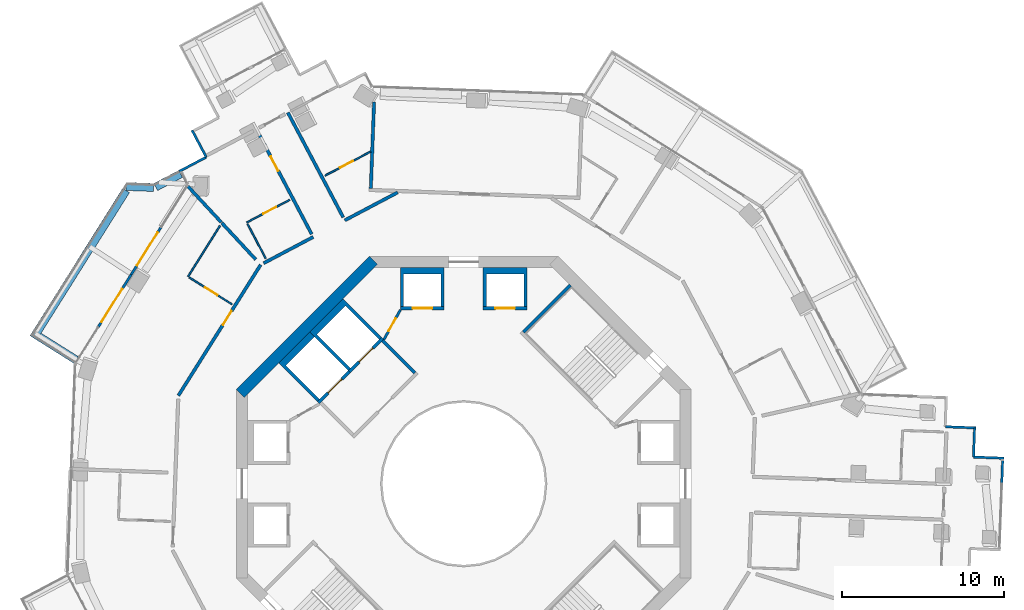
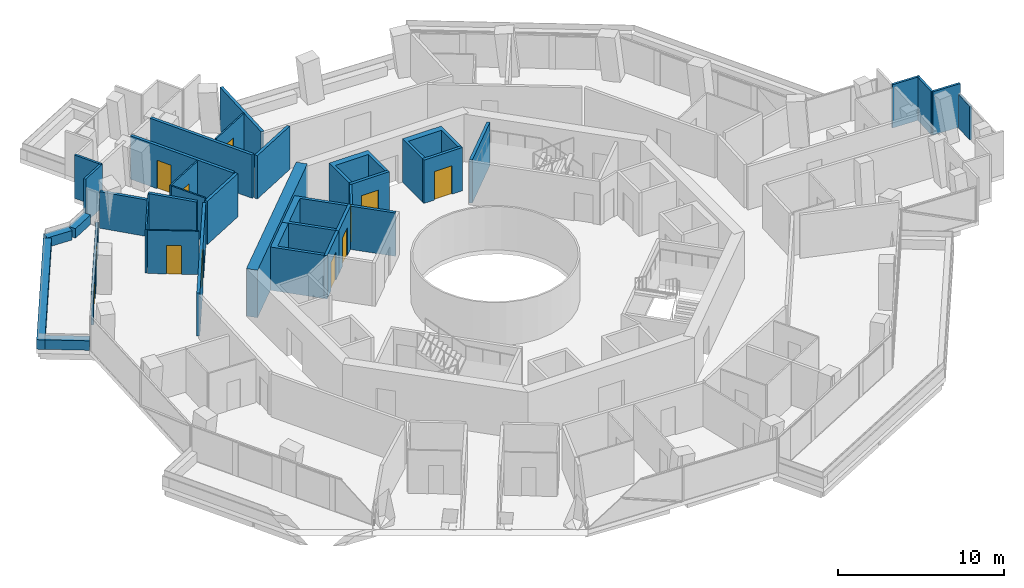
# One storey, part 18 of 23: 37 walls, 12 doors, 12 openings.
"""IFC4 building model written with IfcOpenShell, lengths in metres."""

from ifc_helpers import new_model, si_unit, direction, frame, frame_2d, origin, place, context, subcontext, project, spatial, polyline, rectangle, outline, extrude, material, layer, layer_set, type_object, element, fill, save


model = new_model("IFC4")

# Units and contexts
model_context = context("Model", 3, precision=1e-05, world=origin(), true_north=direction((0.0, 1.0)))
body_context = subcontext(model_context, "Body", "Model", "MODEL_VIEW")
ifc_project = project(units=[si_unit("LENGTHUNIT", "METRE"), si_unit("AREAUNIT", "SQUARE_METRE"), si_unit("VOLUMEUNIT", "CUBIC_METRE"), si_unit("PLANEANGLEUNIT", "RADIAN"), si_unit("MASSUNIT", "GRAM", prefix="KILO")], contexts=[model_context])

# Site, building, storey
site_placement = place(None, origin())
site = spatial("IfcSite", under=ifc_project, at=site_placement, CompositionType="ELEMENT")
building_placement = place(site_placement, origin())
building = spatial("IfcBuilding", under=site, at=building_placement, Name="Verdalira Terraces Hotel", CompositionType="ELEMENT")
storey_placement = place(building_placement, frame((0.0, 0.0, 147.0)))
storey = spatial("IfcBuildingStorey", under=building, at=storey_placement, Name="L35", CompositionType="ELEMENT", Elevation=147.0)

# Walls
ifc_material_1 = material(Name="Concrete C40", Category="concrete")
ifc_layer_1 = layer(ifc_material_1, 0.5)
ifc_layer_set_1 = layer_set([ifc_layer_1], Name="Balcony planter trough with tree")
wall_type_1 = type_object("IfcWallType", Name="Balcony planter trough with tree", PredefinedType="SOLIDWALL", material=ifc_layer_set_1)
wall_1_placement = place(storey_placement, frame((-17.42749, 19.077637, 0.0), z_axis=(0.0, 0.0, 1.0), x_axis=(-0.884277997, -0.466960837, 0.0)))
element("IfcWall", 1, at=wall_1_placement, inside=storey, type_object=wall_type_1, Name="Balcony planter", PredefinedType="SOLIDWALL", context=body_context, shape_type="SweptSolid", body=[
    extrude(rectangle(XDim=1.731201, YDim=0.5, at=frame_2d((0.865723, 0.0))), origin(), (0.0, 0.0, 1.0), 0.699951),
])
wall_2_placement = place(storey_placement, frame((-19.084473, 18.240479, 0.0), z_axis=(0.0, 0.0, 1.0), x_axis=(-0.999287738, 0.037736147, 0.0)))
element("IfcWall", 2, at=wall_2_placement, inside=storey, type_object=wall_type_1, Name="Balcony planter", PredefinedType="SOLIDWALL", context=body_context, shape_type="SweptSolid", body=[
    extrude(rectangle(XDim=1.695068, YDim=0.5, at=frame_2d((0.847656, 0.0))), origin(), (0.0, 0.0, 1.0), 0.699951),
])
wall_3_placement = place(storey_placement, frame((-20.787598, 18.054688, 0.0), z_axis=(0.0, 0.0, 1.0), x_axis=(-0.532285818, -0.84656471, 0.0)))
element("IfcWall", 3, at=wall_3_placement, inside=storey, type_object=wall_type_1, Name="Balcony planter", PredefinedType="SOLIDWALL", context=body_context, shape_type="SweptSolid", body=[
    extrude(rectangle(XDim=10.719482, YDim=0.5, at=frame_2d((5.359863, 0.0))), origin(), (0.0, 0.0, 1.0), 0.699951),
])
wall_4_placement = place(storey_placement, frame((-26.148682, 9.058594, 0.0), z_axis=(0.0, 0.0, 1.0), x_axis=(0.846546878, -0.532314177, 0.0)))
element("IfcWall", 4, at=wall_4_placement, inside=storey, type_object=wall_type_1, Name="Balcony planter", PredefinedType="SOLIDWALL", context=body_context, shape_type="SweptSolid", body=[
    extrude(rectangle(XDim=2.699219, YDim=0.5, at=frame_2d((1.349609, 0.0))), origin(), (0.0, 0.0, 1.0), 0.699951),
])
ifc_material_2 = material(Name="Moisture-resistant gypsum board partition")
ifc_layer_2 = layer(ifc_material_2, 0.10009765625)
ifc_layer_set_2 = layer_set([ifc_layer_2], Name="Bathroom partition 100 mm")
wall_type_2 = type_object("IfcWallType", Name="Bathroom partition 100 mm", PredefinedType="PARTITIONING", material=ifc_layer_set_2)
wall_5_placement = place(storey_placement, frame((-16.976074, 12.750732, 0.0), z_axis=(0.0, 0.0, 1.0), x_axis=(0.532295725, 0.846558481, 0.0)))
element("IfcWall", 5, at=wall_5_placement, inside=storey, type_object=wall_type_2, Name="Bathroom partition", PredefinedType="PARTITIONING", context=body_context, shape_type="SweptSolid", body=[
    extrude(rectangle(XDim=3.704102, YDim=0.100098, at=frame_2d((1.852051, 0.0))), origin(), (0.0, 0.0, 1.0), 3.189941),
])

# Wall, opening, door
wall_6_placement = place(storey_placement, frame((-16.891357, 12.69751, 0.0), z_axis=(0.0, 0.0, 1.0), x_axis=(0.846583824, -0.532255417, 0.0)))
wall_6 = element("IfcWall", 6, at=wall_6_placement, inside=storey, type_object=wall_type_2, Name="Bathroom partition", PredefinedType="PARTITIONING", context=body_context, shape_type="SweptSolid", body=[
    extrude(rectangle(XDim=3.099854, YDim=0.100098, at=frame_2d((1.549805, 0.0))), origin(), (0.0, 0.0, 1.0), 3.189941),
])
opening_1_placement = place(wall_6_placement, frame((1.149902, 0.0, 0.0)))
opening_1 = element("IfcOpeningElement", 7, at=opening_1_placement, cuts=wall_6, Name="Opening L35-107", PredefinedType="OPENING", context=body_context, shape_type="SweptSolid", body=[
    extrude(rectangle(XDim=0.899902, YDim=2.100098, at=frame_2d((0.449951, 1.050049))), frame((0.0, 0.060059, 0.0), z_axis=(0.0, -1.0, 0.0), x_axis=(1.0, 0.0, 0.0)), (0.0, 0.0, 1.0), 0.120117),
])
ifc_material_3 = material(Name="Timber door", Category="wood")
door_type_1 = type_object("IfcDoorType", Name="Bathroom door 900 x 2100", OperationType="NOTDEFINED", PredefinedType="DOOR", material=ifc_material_3)
door_1_placement = place(opening_1_placement, origin())
door_1 = element("IfcDoor", 8, at=door_1_placement, inside=storey, type_object=door_type_1, Name="Bathroom door 3503", OperationType="SINGLE_SWING_LEFT", OverallHeight=2.10009765625, OverallWidth=0.89990234375, PredefinedType="DOOR", context=body_context, shape_type="SweptSolid", body=[
    extrude(rectangle(XDim=0.899902, YDim=2.100098, at=frame_2d((0.449951, 1.050049))), frame((0.0, 0.024902, 0.0), z_axis=(0.0, -1.0, 0.0), x_axis=(1.0, 0.0, 0.0)), (0.0, 0.0, 1.0), 0.050049),
])
fill(opening_1, door_1)

# Wall
wall_7_placement = place(storey_placement, frame((-12.188965, 13.871582, 0.0), z_axis=(0.0, 0.0, 1.0), x_axis=(-0.46699949, 0.884257585, 0.0)))
element("IfcWall", 9, at=wall_7_placement, inside=storey, type_object=wall_type_2, Name="Bathroom partition", PredefinedType="PARTITIONING", context=body_context, shape_type="SweptSolid", body=[
    extrude(rectangle(XDim=2.400146, YDim=0.100098, at=frame_2d((1.200195, 0.0))), origin(), (0.0, 0.0, 1.0), 3.189941),
])

# Wall, opening, door
wall_8_placement = place(storey_placement, frame((-10.703613, 17.483398, 0.0), z_axis=(0.0, 0.0, 1.0), x_axis=(-0.884244746, -0.467023799, 0.0)))
wall_8 = element("IfcWall", 10, at=wall_8_placement, inside=storey, type_object=wall_type_2, Name="Bathroom partition", PredefinedType="PARTITIONING", context=body_context, shape_type="SweptSolid", body=[
    extrude(rectangle(XDim=3.0, YDim=0.100098, at=frame_2d((1.5, 0.0))), origin(), (0.0, 0.0, 1.0), 3.189941),
])
opening_2_placement = place(wall_8_placement, frame((0.949951, 0.0, 0.0)))
opening_2 = element("IfcOpeningElement", 11, at=opening_2_placement, cuts=wall_8, Name="Opening L35-105", PredefinedType="OPENING", context=body_context, shape_type="SweptSolid", body=[
    extrude(rectangle(XDim=0.899902, YDim=2.100098, at=frame_2d((0.449951, 1.050049))), frame((0.0, 0.060059, 0.0), z_axis=(0.0, -1.0, 0.0), x_axis=(1.0, 0.0, 0.0)), (0.0, 0.0, 1.0), 0.120117),
])
door_2_placement = place(opening_2_placement, origin())
door_2 = element("IfcDoor", 12, at=door_2_placement, inside=storey, type_object=door_type_1, Name="Bathroom door 3502", OperationType="SINGLE_SWING_RIGHT", OverallHeight=2.10009765625, OverallWidth=0.89990234375, PredefinedType="DOOR", context=body_context, shape_type="SweptSolid", body=[
    extrude(rectangle(XDim=0.899902, YDim=2.100098, at=frame_2d((0.449951, 1.050049))), frame((0.0, 0.024902, 0.0), z_axis=(0.0, -1.0, 0.0), x_axis=(1.0, 0.0, 0.0)), (0.0, 0.0, 1.0), 0.050049),
])
fill(opening_2, door_2)

wall_9_placement = place(storey_placement, frame((-5.71582, 20.456787, 0.0), z_axis=(0.0, 0.0, 1.0), x_axis=(-0.884270091, -0.466975808, 0.0)))
wall_9 = element("IfcWall", 13, at=wall_9_placement, inside=storey, type_object=wall_type_2, Name="Bathroom partition", PredefinedType="PARTITIONING", context=body_context, shape_type="SweptSolid", body=[
    extrude(rectangle(XDim=3.198975, YDim=0.100098, at=frame_2d((1.599609, 0.0))), origin(), (0.0, 0.0, 1.0), 3.189941),
])
opening_3_placement = place(wall_9_placement, frame((1.25, 0.0, 0.0)))
opening_3 = element("IfcOpeningElement", 14, at=opening_3_placement, cuts=wall_9, Name="Opening L35-103", PredefinedType="OPENING", context=body_context, shape_type="SweptSolid", body=[
    extrude(rectangle(XDim=0.899902, YDim=2.100098, at=frame_2d((0.449951, 1.050049))), frame((0.0, 0.060059, 0.0), z_axis=(0.0, -1.0, 0.0), x_axis=(1.0, 0.0, 0.0)), (0.0, 0.0, 1.0), 0.120117),
])
door_3_placement = place(opening_3_placement, origin())
door_3 = element("IfcDoor", 15, at=door_3_placement, inside=storey, type_object=door_type_1, Name="Bathroom door 3501", OperationType="SINGLE_SWING_LEFT", OverallHeight=2.10009765625, OverallWidth=0.89990234375, PredefinedType="DOOR", context=body_context, shape_type="SweptSolid", body=[
    extrude(rectangle(XDim=0.899902, YDim=2.100098, at=frame_2d((0.449951, 1.050049))), frame((0.0, 0.024902, 0.0), z_axis=(0.0, -1.0, 0.0), x_axis=(1.0, 0.0, 0.0)), (0.0, 0.0, 1.0), 0.050049),
])
fill(opening_3, door_3)

# Wall
ifc_material_4 = material(Name="Concrete C50", Category="concrete")
ifc_layer_3 = layer(ifc_material_4, 0.199951171875)
ifc_layer_set_3 = layer_set([ifc_layer_3], Name="Core RC wall 200 C50")
wall_type_3 = type_object("IfcWallType", Name="Core RC wall 200 C50", PredefinedType="SOLIDWALL", material=ifc_layer_set_3)
wall_10_placement = place(storey_placement, origin())
element("IfcWall", 16, at=wall_10_placement, inside=storey, type_object=wall_type_3, Name="L35 shaft wall N1", PredefinedType="SOLIDWALL", context=body_context, shape_type="SweptSolid", body=[
    extrude(outline(polyline([(3.899902, 13.300049), (3.899902, 10.899902), (3.699951, 10.899902), (3.699951, 12.899902), (1.399902, 12.899902), (1.399902, 10.899902), (1.199951, 10.899902), (1.199951, 13.300049), (3.899902, 13.300049)])), origin(), (0.0, 0.0, 1.0), 3.189941),
])

# Wall, opening, door
wall_11_placement = place(storey_placement, frame((1.199951, 10.800049, 0.0), z_axis=(0.0, 0.0, 1.0), x_axis=(1.0, 0.0, 0.0)))
wall_11 = element("IfcWall", 17, at=wall_11_placement, inside=storey, type_object=wall_type_3, Name="L35 shaft front wall N1", PredefinedType="SOLIDWALL", context=body_context, shape_type="SweptSolid", body=[
    extrude(rectangle(XDim=2.699951, YDim=0.199951, at=frame_2d((1.350098, 0.0))), origin(), (0.0, 0.0, 1.0), 3.189941),
])
opening_4_placement = place(wall_11_placement, frame((0.75, 0.0, 0.0)))
opening_4 = element("IfcOpeningElement", 18, at=opening_4_placement, cuts=wall_11, Name="Opening LD-L35-803", PredefinedType="OPENING", context=body_context, shape_type="SweptSolid", body=[
    extrude(rectangle(XDim=1.199951, YDim=2.100098, at=frame_2d((0.600098, 1.050049))), frame((0.0, 0.109863, 0.0), z_axis=(0.0, -1.0, 0.0), x_axis=(1.0, 0.0, 0.0)), (0.0, 0.0, 1.0), 0.219971),
])
ifc_material_5 = material(Name="Stainless steel", Category="steel")
door_type_2 = type_object("IfcDoorType", Name="Landing door 1200 x 2100", OperationType="NOTDEFINED", PredefinedType="DOOR", material=ifc_material_5)
door_4_placement = place(opening_4_placement, origin())
door_4 = element("IfcDoor", 19, at=door_4_placement, inside=storey, type_object=door_type_2, Name="Lift landing door LR3 L35", OperationType="DOUBLE_DOOR_SLIDING", OverallHeight=2.10009765625, OverallWidth=1.199951171875, PredefinedType="DOOR", context=body_context, shape_type="SweptSolid", body=[
    extrude(rectangle(XDim=1.199951, YDim=2.100098, at=frame_2d((0.600098, 1.050049))), frame((0.0, 0.024902, 0.0), z_axis=(0.0, -1.0, 0.0), x_axis=(1.0, 0.0, 0.0)), (0.0, 0.0, 1.0), 0.050049),
])
fill(opening_4, door_4)

# Wall
wall_12_placement = place(storey_placement, origin())
element("IfcWall", 20, at=wall_12_placement, inside=storey, type_object=wall_type_3, Name="L35 shaft wall N2", PredefinedType="SOLIDWALL", context=body_context, shape_type="SweptSolid", body=[
    extrude(outline(polyline([(-3.899902, 10.899902), (-3.899902, 13.300049), (-1.199951, 13.300049), (-1.199951, 10.899902), (-1.399902, 10.899902), (-1.399902, 12.899902), (-3.699951, 12.899902), (-3.699951, 10.899902), (-3.899902, 10.899902)])), origin(), (0.0, 0.0, 1.0), 3.189941),
])

# Wall, opening, door
wall_13_placement = place(storey_placement, frame((-1.199951, 10.800049, 0.0), z_axis=(0.0, 0.0, 1.0), x_axis=(-1.0, 0.0, 0.0)))
wall_13 = element("IfcWall", 21, at=wall_13_placement, inside=storey, type_object=wall_type_3, Name="L35 shaft front wall N2", PredefinedType="SOLIDWALL", context=body_context, shape_type="SweptSolid", body=[
    extrude(rectangle(XDim=2.699951, YDim=0.199951, at=frame_2d((1.350098, 0.0))), origin(), (0.0, 0.0, 1.0), 3.189941),
])
opening_5_placement = place(wall_13_placement, frame((0.75, 0.0, 0.0)))
opening_5 = element("IfcOpeningElement", 22, at=opening_5_placement, cuts=wall_13, Name="Opening LD-L35-804", PredefinedType="OPENING", context=body_context, shape_type="SweptSolid", body=[
    extrude(rectangle(XDim=1.199951, YDim=2.100098, at=frame_2d((0.600098, 1.050049))), frame((0.0, 0.109863, 0.0), z_axis=(0.0, -1.0, 0.0), x_axis=(1.0, 0.0, 0.0)), (0.0, 0.0, 1.0), 0.219971),
])
door_5_placement = place(opening_5_placement, origin())
door_5 = element("IfcDoor", 23, at=door_5_placement, inside=storey, type_object=door_type_2, Name="Lift landing door LR4 L35", OperationType="DOUBLE_DOOR_SLIDING", OverallHeight=2.10009765625, OverallWidth=1.199951171875, PredefinedType="DOOR", context=body_context, shape_type="SweptSolid", body=[
    extrude(rectangle(XDim=1.199951, YDim=2.100098, at=frame_2d((0.600098, 1.050049))), frame((0.0, 0.024902, 0.0), z_axis=(0.0, -1.0, 0.0), x_axis=(1.0, 0.0, 0.0)), (0.0, 0.0, 1.0), 0.050049),
])
fill(opening_5, door_5)

# Wall
wall_14_placement = place(storey_placement, origin())
element("IfcWall", 24, at=wall_14_placement, inside=storey, type_object=wall_type_3, Name="L35 shaft wall F1", PredefinedType="SOLIDWALL", context=body_context, shape_type="SweptSolid", body=[
    extrude(outline(polyline([(-9.475098, 9.33374), (-7.424561, 11.384521), (-5.055908, 9.015625), (-5.197266, 8.874268), (-7.283203, 10.960205), (-9.051025, 9.192383), (-6.965088, 7.106445), (-7.106445, 6.965088), (-9.475098, 9.33374)])), origin(), (0.0, 0.0, 1.0), 3.189941),
])

# Wall, opening, door
wall_15_placement = place(storey_placement, frame((-4.985107, 8.944824, 0.0), z_axis=(0.0, 0.0, 1.0), x_axis=(-0.707106781, -0.707106781, 0.0)))
wall_15 = element("IfcWall", 25, at=wall_15_placement, inside=storey, type_object=wall_type_3, Name="L35 shaft front wall F1", PredefinedType="SOLIDWALL", context=body_context, shape_type="SweptSolid", body=[
    extrude(rectangle(XDim=2.899902, YDim=0.199951, at=frame_2d((1.449951, 0.0))), origin(), (0.0, 0.0, 1.0), 3.189941),
])
opening_6_placement = place(wall_15_placement, frame((0.850098, 0.0, 0.0)))
opening_6 = element("IfcOpeningElement", 26, at=opening_6_placement, cuts=wall_15, Name="Opening LD-L35-807", PredefinedType="OPENING", context=body_context, shape_type="SweptSolid", body=[
    extrude(rectangle(XDim=1.199951, YDim=2.100098, at=frame_2d((0.600098, 1.050049))), frame((0.0, 0.109863, 0.0), z_axis=(0.0, -1.0, 0.0), x_axis=(1.0, 0.0, 0.0)), (0.0, 0.0, 1.0), 0.219971),
])
door_6_placement = place(opening_6_placement, origin())
door_6 = element("IfcDoor", 27, at=door_6_placement, inside=storey, type_object=door_type_2, Name="Lift landing door LF11 L35", OperationType="DOUBLE_DOOR_SLIDING", OverallHeight=2.10009765625, OverallWidth=1.199951171875, PredefinedType="DOOR", context=body_context, shape_type="SweptSolid", body=[
    extrude(rectangle(XDim=1.199951, YDim=2.100098, at=frame_2d((0.600098, 1.050049))), frame((0.0, 0.024902, 0.0), z_axis=(0.0, -1.0, 0.0), x_axis=(1.0, 0.0, 0.0)), (0.0, 0.0, 1.0), 0.050049),
])
fill(opening_6, door_6)

# Wall
wall_16_placement = place(storey_placement, origin())
element("IfcWall", 28, at=wall_16_placement, inside=storey, type_object=wall_type_3, Name="L35 shaft wall F2", PredefinedType="SOLIDWALL", context=body_context, shape_type="SweptSolid", body=[
    extrude(outline(polyline([(-11.384521, 7.424561), (-9.475098, 9.33374), (-9.192383, 9.051025), (-10.960205, 7.283203), (-8.874268, 5.197266), (-9.015625, 5.055908), (-11.384521, 7.424561)])), origin(), (0.0, 0.0, 1.0), 3.189941),
])

# Wall, opening, door
wall_17_placement = place(storey_placement, frame((-7.035645, 6.894287, 0.0), z_axis=(0.0, 0.0, 1.0), x_axis=(-0.707106781, -0.707106781, 0.0)))
wall_17 = element("IfcWall", 29, at=wall_17_placement, inside=storey, type_object=wall_type_3, Name="L35 shaft front wall F2", PredefinedType="SOLIDWALL", context=body_context, shape_type="SweptSolid", body=[
    extrude(rectangle(XDim=2.699951, YDim=0.199951, at=frame_2d((1.350098, 0.0))), origin(), (0.0, 0.0, 1.0), 3.189941),
])
opening_7_placement = place(wall_17_placement, frame((0.649902, 0.0, 0.0)))
opening_7 = element("IfcOpeningElement", 30, at=opening_7_placement, cuts=wall_17, Name="Opening LD-L35-808", PredefinedType="OPENING", context=body_context, shape_type="SweptSolid", body=[
    extrude(rectangle(XDim=1.199951, YDim=2.100098, at=frame_2d((0.600098, 1.050049))), frame((0.0, 0.109863, 0.0), z_axis=(0.0, -1.0, 0.0), x_axis=(1.0, 0.0, 0.0)), (0.0, 0.0, 1.0), 0.219971),
])
door_7_placement = place(opening_7_placement, origin())
door_7 = element("IfcDoor", 31, at=door_7_placement, inside=storey, type_object=door_type_2, Name="Lift landing door LF12 L35", OperationType="DOUBLE_DOOR_SLIDING", OverallHeight=2.10009765625, OverallWidth=1.199951171875, PredefinedType="DOOR", context=body_context, shape_type="SweptSolid", body=[
    extrude(rectangle(XDim=1.199951, YDim=2.100098, at=frame_2d((0.600098, 1.050049))), frame((0.0, 0.024902, 0.0), z_axis=(0.0, -1.0, 0.0), x_axis=(1.0, 0.0, 0.0)), (0.0, 0.0, 1.0), 0.050049),
])
fill(opening_7, door_7)

# Walls
wall_18_placement = place(storey_placement, frame((3.677002, 9.33374, 0.0), z_axis=(0.0, 0.0, 1.0), x_axis=(0.707106781, 0.707106781, 0.0)))
element("IfcWall", 32, at=wall_18_placement, inside=storey, type_object=wall_type_3, Name="L35 stair ST1 end wall 2", PredefinedType="SOLIDWALL", context=body_context, shape_type="SweptSolid", body=[
    extrude(rectangle(XDim=4.100098, YDim=0.199951, at=frame_2d((2.050049, 0.0))), origin(), (0.0, 0.0, 1.0), 3.189941),
])
wall_19_placement = place(storey_placement, frame((-3.005127, 6.823486, 0.0), z_axis=(0.0, 0.0, 1.0), x_axis=(-0.707106781, 0.707106781, 0.0)))
element("IfcWall", 33, at=wall_19_placement, inside=storey, type_object=wall_type_3, Name="L35 fire lobby wall", PredefinedType="SOLIDWALL", context=body_context, shape_type="SweptSolid", body=[
    extrude(rectangle(XDim=2.800049, YDim=0.199951, at=frame_2d((1.399902, 0.0))), origin(), (0.0, 0.0, 1.0), 3.189941),
])

# Wall, opening, door
ifc_material_6 = material(Name="Gypsum board partition")
ifc_layer_4 = layer(ifc_material_6, 0.14990234375)
ifc_layer_set_4 = layer_set([ifc_layer_4], Name="Core partition 150 mm")
wall_type_4 = type_object("IfcWallType", Name="Core partition 150 mm", PredefinedType="PARTITIONING", material=ifc_layer_set_4)
wall_20_placement = place(storey_placement, frame((-3.899902, 10.699951, 0.0), z_axis=(0.0, 0.0, 1.0), x_axis=(-0.485692555, -0.874129705, 0.0)))
wall_20 = element("IfcWall", 34, at=wall_20_placement, inside=storey, type_object=wall_type_4, Name="Room partition L35", PredefinedType="PARTITIONING", context=body_context, shape_type="SweptSolid", body=[
    extrude(rectangle(XDim=2.088623, YDim=0.149902, at=frame_2d((1.044434, 0.0))), origin(), (0.0, 0.0, 1.0), 3.189941),
])
opening_8_placement = place(wall_20_placement, frame((0.594238, 0.0, 0.0)))
opening_8 = element("IfcOpeningElement", 35, at=opening_8_placement, cuts=wall_20, Name="Opening L35-821", PredefinedType="OPENING", context=body_context, shape_type="SweptSolid", body=[
    extrude(rectangle(XDim=0.899902, YDim=2.100098, at=frame_2d((0.449951, 1.050049))), frame((0.0, 0.084961, 0.0), z_axis=(0.0, -1.0, 0.0), x_axis=(1.0, 0.0, 0.0)), (0.0, 0.0, 1.0), 0.169922),
])
ifc_material_7 = material(Name="Steel fire door", Category="steel")
door_type_3 = type_object("IfcDoorType", Name="Core room door 900 x 2100", OperationType="NOTDEFINED", PredefinedType="DOOR", material=ifc_material_7)
door_8_placement = place(opening_8_placement, origin())
door_8 = element("IfcDoor", 36, at=door_8_placement, inside=storey, type_object=door_type_3, Name="Door L35 room2", OperationType="SINGLE_SWING_LEFT", OverallHeight=2.10009765625, OverallWidth=0.89990234375, PredefinedType="DOOR", context=body_context, shape_type="SweptSolid", body=[
    extrude(rectangle(XDim=0.899902, YDim=2.100098, at=frame_2d((0.449951, 1.050049))), frame((0.0, 0.024902, 0.0), z_axis=(0.0, -1.0, 0.0), x_axis=(1.0, 0.0, 0.0)), (0.0, 0.0, 1.0), 0.050049),
])
fill(opening_8, door_8)

# Walls
ifc_material_8 = material(Name="Concrete C60", Category="concrete")
ifc_layer_5 = layer(ifc_material_8, 0.699951171875)
ifc_layer_set_5 = layer_set([ifc_layer_5], Name="Core wall 700 C60")
wall_type_5 = type_object("IfcWallType", Name="Core wall 700 C60", PredefinedType="SHEAR", material=ifc_layer_set_5)
wall_21_placement = place(storey_placement, frame((-5.551514, 13.752441, 0.0), z_axis=(0.0, 0.0, 1.0), x_axis=(-0.707106781, -0.707106781, 0.0)))
element("IfcWall", 37, at=wall_21_placement, inside=storey, type_object=wall_type_5, Name="Core wall CW-L35-4", PredefinedType="SHEAR", context=body_context, shape_type="SweptSolid", body=[
    extrude(rectangle(XDim=11.5979, YDim=0.699951, at=frame_2d((5.798828, 0.0))), origin(), (0.0, 0.0, 1.0), 3.5),
])
ifc_material_9 = material(Name="Fire-rated gypsum board wall")
ifc_layer_6 = layer(ifc_material_9, 0.199951171875)
ifc_layer_set_6 = layer_set([ifc_layer_6], Name="Demising wall 200 mm")
wall_type_6 = type_object("IfcWallType", Name="Demising wall 200 mm", PredefinedType="SOLIDWALL", material=ifc_layer_set_6)
wall_22_placement = place(storey_placement, frame((-12.804932, 13.808594, 0.0), z_axis=(0.0, 0.0, 1.0), x_axis=(-0.679924039, 0.733282552, 0.0)))
element("IfcWall", 38, at=wall_22_placement, inside=storey, type_object=wall_type_6, Name="Demising wall", PredefinedType="SOLIDWALL", context=body_context, shape_type="SweptSolid", body=[
    extrude(rectangle(XDim=3.074707, YDim=0.199951, at=frame_2d((1.537354, 0.0))), origin(), (0.0, 0.0, 1.0), 3.189941),
])
ifc_material_10 = material(Name="Fire-rated gypsum board wall")
ifc_layer_7 = layer(ifc_material_10, 0.199951171875)
ifc_layer_set_7 = layer_set([ifc_layer_7], Name="Demising wall 200 mm to beam soffit")
wall_type_7 = type_object("IfcWallType", Name="Demising wall 200 mm to beam soffit", PredefinedType="SOLIDWALL", material=ifc_layer_set_7)
wall_23_placement = place(storey_placement, frame((-14.926758, 16.096924, 0.0), z_axis=(0.0, 0.0, 1.0), x_axis=(-0.679972059, 0.733238023, 0.0)))
element("IfcWall", 39, at=wall_23_placement, inside=storey, type_object=wall_type_7, Name="Demising wall", PredefinedType="SOLIDWALL", context=body_context, shape_type="SweptSolid", body=[
    extrude(rectangle(XDim=3.01123, YDim=0.199951, at=frame_2d((1.505615, 0.0))), origin(), (0.0, 0.0, 1.0), 2.689941),
])

# Wall, opening, door
ifc_material_11 = material(Name="Fire-rated gypsum board wall")
ifc_layer_8 = layer(ifc_material_11, 0.199951171875)
ifc_layer_set_8 = layer_set([ifc_layer_8], Name="Guest corridor wall 200 mm")
wall_type_8 = type_object("IfcWallType", Name="Guest corridor wall 200 mm", PredefinedType="SOLIDWALL", material=ifc_layer_set_8)
wall_24_placement = place(storey_placement, frame((-17.566162, 5.424805, 0.0), z_axis=(0.0, 0.0, 1.0), x_axis=(0.532300792, 0.846555294, 0.0)))
wall_24 = element("IfcWall", 40, at=wall_24_placement, inside=storey, type_object=wall_type_8, Name="Guest corridor wall", PredefinedType="SOLIDWALL", context=body_context, shape_type="SweptSolid", body=[
    extrude(rectangle(XDim=9.516113, YDim=0.199951, at=frame_2d((4.758057, 0.0))), origin(), (0.0, 0.0, 1.0), 3.189941),
])
opening_9_placement = place(wall_24_placement, frame((5.149902, 0.0, 0.0)))
opening_9 = element("IfcOpeningElement", 41, at=opening_9_placement, cuts=wall_24, Name="Opening L35-106", PredefinedType="OPENING", context=body_context, shape_type="SweptSolid", body=[
    extrude(rectangle(XDim=1.0, YDim=2.100098, at=frame_2d((0.5, 1.050049))), frame((0.0, 0.109863, 0.0), z_axis=(0.0, -1.0, 0.0), x_axis=(1.0, 0.0, 0.0)), (0.0, 0.0, 1.0), 0.219971),
])
ifc_material_12 = material(Name="Timber fire door", Category="wood")
door_type_4 = type_object("IfcDoorType", Name="Guest entry door 1000 x 2100", OperationType="NOTDEFINED", PredefinedType="DOOR", material=ifc_material_12)
door_9_placement = place(opening_9_placement, origin())
door_9 = element("IfcDoor", 42, at=door_9_placement, inside=storey, type_object=door_type_4, Name="Guest entry door 3503", OperationType="SINGLE_SWING_LEFT", OverallHeight=2.10009765625, OverallWidth=1.0, PredefinedType="DOOR", context=body_context, shape_type="SweptSolid", body=[
    extrude(rectangle(XDim=1.0, YDim=2.100098, at=frame_2d((0.5, 1.050049))), frame((0.0, 0.024902, 0.0), z_axis=(0.0, -1.0, 0.0), x_axis=(1.0, 0.0, 0.0)), (0.0, 0.0, 1.0), 0.050049),
])
fill(opening_9, door_9)

wall_25_placement = place(storey_placement, frame((-9.359375, 15.365967, 0.0), z_axis=(0.0, 0.0, 1.0), x_axis=(-0.466982401, 0.88426661, 0.0)))
wall_25 = element("IfcWall", 43, at=wall_25_placement, inside=storey, type_object=wall_type_8, Name="Guest corridor wall", PredefinedType="SOLIDWALL", context=body_context, shape_type="SweptSolid", body=[
    extrude(rectangle(XDim=7.299805, YDim=0.199951, at=frame_2d((3.649902, 0.0))), origin(), (0.0, 0.0, 1.0), 3.189941),
])
opening_10_placement = place(wall_25_placement, frame((4.399902, 0.0, 0.0)))
opening_10 = element("IfcOpeningElement", 44, at=opening_10_placement, cuts=wall_25, Name="Opening L35-104", PredefinedType="OPENING", context=body_context, shape_type="SweptSolid", body=[
    extrude(rectangle(XDim=1.0, YDim=2.100098, at=frame_2d((0.5, 1.050049))), frame((0.0, 0.109863, 0.0), z_axis=(0.0, -1.0, 0.0), x_axis=(1.0, 0.0, 0.0)), (0.0, 0.0, 1.0), 0.219971),
])
door_10_placement = place(opening_10_placement, origin())
door_10 = element("IfcDoor", 45, at=door_10_placement, inside=storey, type_object=door_type_4, Name="Guest entry door 3502", OperationType="SINGLE_SWING_RIGHT", OverallHeight=2.10009765625, OverallWidth=1.0, PredefinedType="DOOR", context=body_context, shape_type="SweptSolid", body=[
    extrude(rectangle(XDim=1.0, YDim=2.100098, at=frame_2d((0.5, 1.050049))), frame((0.0, 0.024902, 0.0), z_axis=(0.0, -1.0, 0.0), x_axis=(1.0, 0.0, 0.0)), (0.0, 0.0, 1.0), 0.050049),
])
fill(opening_10, door_10)

# Walls
wall_26_placement = place(storey_placement, frame((-9.265869, 15.189209, 0.0), z_axis=(0.0, 0.0, 1.0), x_axis=(-0.884266542, -0.46698253, 0.0)))
element("IfcWall", 46, at=wall_26_placement, inside=storey, type_object=wall_type_8, Name="Guest corridor wall", PredefinedType="SOLIDWALL", context=body_context, shape_type="SweptSolid", body=[
    extrude(rectangle(XDim=3.458252, YDim=0.199951, at=frame_2d((1.729004, 0.0))), origin(), (0.0, 0.0, 1.0), 3.189941),
])
wall_27_placement = place(storey_placement, frame((-7.413818, 16.393555, 0.0), z_axis=(0.0, 0.0, 1.0), x_axis=(-0.467022362, 0.884245505, 0.0)))
element("IfcWall", 47, at=wall_27_placement, inside=storey, type_object=wall_type_8, Name="Guest corridor wall", PredefinedType="SOLIDWALL", context=body_context, shape_type="SweptSolid", body=[
    extrude(rectangle(XDim=7.299805, YDim=0.199951, at=frame_2d((3.649902, 0.0))), origin(), (0.0, 0.0, 1.0), 3.189941),
])
wall_28_placement = place(storey_placement, frame((-4.067871, 17.934326, 0.0), z_axis=(0.0, 0.0, 1.0), x_axis=(-0.884263717, -0.466987879, 0.0)))
element("IfcWall", 48, at=wall_28_placement, inside=storey, type_object=wall_type_8, Name="Guest corridor wall", PredefinedType="SOLIDWALL", context=body_context, shape_type="SweptSolid", body=[
    extrude(rectangle(XDim=3.678467, YDim=0.199951, at=frame_2d((1.839355, 0.0))), origin(), (0.0, 0.0, 1.0), 3.189941),
])
ifc_material_13 = material(Name="Terracotta cladding", Category="masonry")
ifc_layer_9 = layer(ifc_material_13, 0.199951171875)
ifc_layer_set_9 = layer_set([ifc_layer_9], Name="Loggia back wall 200")
wall_type_9 = type_object("IfcWallType", Name="Loggia back wall 200", PredefinedType="SOLIDWALL", material=ifc_layer_set_9)
wall_29_placement = place(storey_placement, frame((-5.518066, 23.506104, 0.0), z_axis=(0.0, 0.0, 1.0), x_axis=(-0.037654569, -0.999290815, 0.0)))
element("IfcWall", 49, at=wall_29_placement, inside=storey, type_object=wall_type_9, Name="Loggia side wall", PredefinedType="SOLIDWALL", context=body_context, shape_type="SweptSolid", body=[
    extrude(rectangle(XDim=5.322998, YDim=0.199951, at=frame_2d((2.661621, 0.0))), origin(), (0.0, 0.0, 1.0), 3.189941),
])
ifc_material_14 = material(Name="Terracotta cladding", Category="masonry")
ifc_layer_10 = layer(ifc_material_14, 0.14990234375)
ifc_layer_set_10 = layer_set([ifc_layer_10], Name="Terracotta clad wall 150")
wall_type_10 = type_object("IfcWallType", Name="Terracotta clad wall 150", PredefinedType="SOLIDWALL", material=ifc_layer_set_10)
for number, where, z_axis, x_axis, name in (
    (50, (-16.726074, 21.766602, 0.0), (0.0, 0.0, 1.0), (0.467049967, -0.884230925, 0.0), "Terracotta cladding wall"),
    (51, (-15.850342, 20.108643, 0.0), (0.0, 0.0, 1.0), (-0.884230925, -0.467049967, 0.0), "Terracotta cladding wall"),
):
    element("IfcWall", number, at=place(storey_placement, frame(where, z_axis=z_axis, x_axis=x_axis)), inside=storey, type_object=wall_type_10, Name=name, PredefinedType="SOLIDWALL", context=body_context, shape_type="SweptSolid", body=[
        extrude(rectangle(XDim=1.875, YDim=0.149902, at=frame_2d((0.9375, 0.0))), origin(), (0.0, 0.0, 1.0), 3.189941),
    ])
wall_30_placement = place(storey_placement, frame((33.258301, 1.57251, 0.0), z_axis=(0.0, 0.0, 1.0), x_axis=(-0.999286724, 0.037762985, 0.0)))
element("IfcWall", 52, at=wall_30_placement, inside=storey, type_object=wall_type_10, Name="Terracotta cladding wall", PredefinedType="SOLIDWALL", context=body_context, shape_type="SweptSolid", body=[
    extrude(rectangle(XDim=1.874756, YDim=0.149902, at=frame_2d((0.9375, 0.0))), origin(), (0.0, 0.0, 1.0), 3.189941),
])
wall_31_placement = place(storey_placement, frame((31.384766, 1.643311, 0.0), z_axis=(0.0, 0.0, 1.0), x_axis=(0.03770901, 0.999288762, 0.0)))
element("IfcWall", 53, at=wall_31_placement, inside=storey, type_object=wall_type_10, Name="Terracotta cladding wall", PredefinedType="SOLIDWALL", context=body_context, shape_type="SweptSolid", body=[
    extrude(rectangle(XDim=1.799805, YDim=0.149902, at=frame_2d((0.899902, 0.0))), origin(), (0.0, 0.0, 1.0), 3.189941),
])
wall_32_placement = place(storey_placement, frame((31.527588, 3.439209, 0.0), z_axis=(0.0, 0.0, 1.0), x_axis=(-0.999291814, 0.037628057, 0.0)))
element("IfcWall", 54, at=wall_32_placement, inside=storey, type_object=wall_type_10, Name="Terracotta cladding wall", PredefinedType="SOLIDWALL", context=body_context, shape_type="SweptSolid", body=[
    extrude(rectangle(XDim=1.875, YDim=0.149902, at=frame_2d((0.9375, 0.0))), origin(), (0.0, 0.0, 1.0), 3.189941),
])
ifc_material_15 = material(Name="Terracotta cladding", Category="masonry")
ifc_layer_11 = layer(ifc_material_15, 0.14990234375)
ifc_layer_set_11 = layer_set([ifc_layer_11], Name="Terracotta column pier 150")
wall_type_11 = type_object("IfcWallType", Name="Terracotta column pier 150", PredefinedType="SOLIDWALL", material=ifc_layer_set_11)
wall_33_placement = place(storey_placement, frame((33.124512, 0.011475, 0.0), z_axis=(0.0, 0.0, 1.0), x_axis=(0.037741629, 0.999287531, 0.0)))
element("IfcWall", 55, at=wall_33_placement, inside=storey, type_object=wall_type_11, Name="Terracotta column pier", PredefinedType="SOLIDWALL", context=body_context, shape_type="SweptSolid", body=[
    extrude(rectangle(XDim=1.410156, YDim=0.149902, at=frame_2d((0.705078, 0.0))), origin(), (0.0, 0.0, 1.0), 2.475098),
])

# Wall, opening, door
ifc_material_16 = material(Name="Terracotta cladding", Category="masonry")
ifc_layer_12 = layer(ifc_material_16, 0.14990234375)
ifc_layer_set_12 = layer_set([ifc_layer_12], Name="Terracotta door pier 150")
wall_type_12 = type_object("IfcWallType", Name="Terracotta door pier 150", PredefinedType="SOLIDWALL", material=ifc_layer_set_12)
wall_34_placement = place(storey_placement, frame((-18.623047, 15.814209, 0.0), z_axis=(0.0, 0.0, 1.0), x_axis=(-0.532257872, -0.846582281, 0.0)))
wall_34 = element("IfcWall", 56, at=wall_34_placement, inside=storey, type_object=wall_type_12, Name="Terracotta door pier", PredefinedType="SOLIDWALL", context=body_context, shape_type="SweptSolid", body=[
    extrude(rectangle(XDim=3.475098, YDim=0.149902, at=frame_2d((1.737549, 0.0))), origin(), (0.0, 0.0, 1.0), 2.475098),
])
opening_11_placement = place(wall_34_placement, frame((0.399902, 0.0, 0.0)))
opening_11 = element("IfcOpeningElement", 57, at=opening_11_placement, cuts=wall_34, Name="Opening L35-B02", PredefinedType="OPENING", context=body_context, shape_type="SweptSolid", body=[
    extrude(rectangle(XDim=2.399902, YDim=2.399902, at=frame_2d((1.199951, 1.199951))), frame((0.0, 0.084961, 0.0), z_axis=(0.0, -1.0, 0.0), x_axis=(1.0, 0.0, 0.0)), (0.0, 0.0, 1.0), 0.169922),
])
ifc_material_17 = material(Name="Clear glass", Category="glass")
door_type_5 = type_object("IfcDoorType", Name="Balcony sliding door 2400x2400", OperationType="NOTDEFINED", PredefinedType="DOOR", material=ifc_material_17)
door_11_placement = place(opening_11_placement, origin())
door_11 = element("IfcDoor", 58, at=door_11_placement, inside=storey, type_object=door_type_5, Name="Balcony sliding door", OperationType="SLIDING_TO_RIGHT", OverallHeight=2.39990234375, OverallWidth=2.39990234375, PredefinedType="DOOR", context=body_context, shape_type="SweptSolid", body=[
    extrude(rectangle(XDim=2.399902, YDim=2.399902, at=frame_2d((1.199951, 1.199951))), frame((0.0, 0.024902, 0.0), z_axis=(0.0, -1.0, 0.0), x_axis=(1.0, 0.0, 0.0)), (0.0, 0.0, 1.0), 0.050049),
])
fill(opening_11, door_11)

wall_35_placement = place(storey_placement, frame((-20.472656, 12.872314, 0.0), z_axis=(0.0, 0.0, 1.0), x_axis=(-0.532337095, -0.846532467, 0.0)))
wall_35 = element("IfcWall", 59, at=wall_35_placement, inside=storey, type_object=wall_type_12, Name="Terracotta door pier", PredefinedType="SOLIDWALL", context=body_context, shape_type="SweptSolid", body=[
    extrude(rectangle(XDim=3.835449, YDim=0.149902, at=frame_2d((1.917725, 0.0))), origin(), (0.0, 0.0, 1.0), 2.475098),
])
opening_12_placement = place(wall_35_placement, frame((1.0354, 0.0, 0.0)))
opening_12 = element("IfcOpeningElement", 60, at=opening_12_placement, cuts=wall_35, Name="Opening L35-B03", PredefinedType="OPENING", context=body_context, shape_type="SweptSolid", body=[
    extrude(rectangle(XDim=2.399902, YDim=2.399902, at=frame_2d((1.199951, 1.199951))), frame((0.0, 0.084961, 0.0), z_axis=(0.0, -1.0, 0.0), x_axis=(1.0, 0.0, 0.0)), (0.0, 0.0, 1.0), 0.169922),
])
door_12_placement = place(opening_12_placement, origin())
door_12 = element("IfcDoor", 61, at=door_12_placement, inside=storey, type_object=door_type_5, Name="Balcony sliding door", OperationType="SLIDING_TO_LEFT", OverallHeight=2.39990234375, OverallWidth=2.39990234375, PredefinedType="DOOR", context=body_context, shape_type="SweptSolid", body=[
    extrude(rectangle(XDim=2.399902, YDim=2.399902, at=frame_2d((1.199951, 1.199951))), frame((0.0, 0.024902, 0.0), z_axis=(0.0, -1.0, 0.0), x_axis=(1.0, 0.0, 0.0)), (0.0, 0.0, 1.0), 0.050049),
])
fill(opening_12, door_12)

save(model, "model.ifc")
